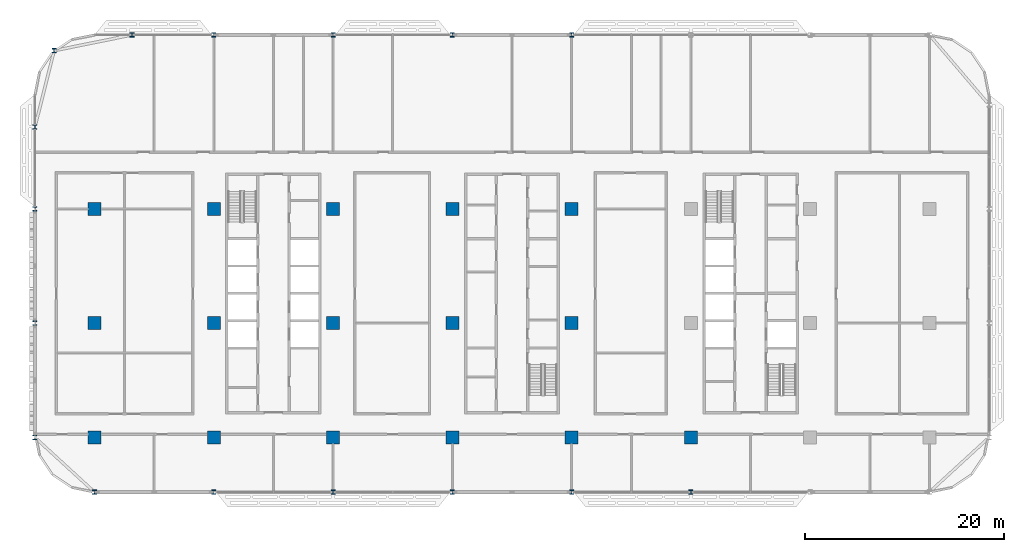
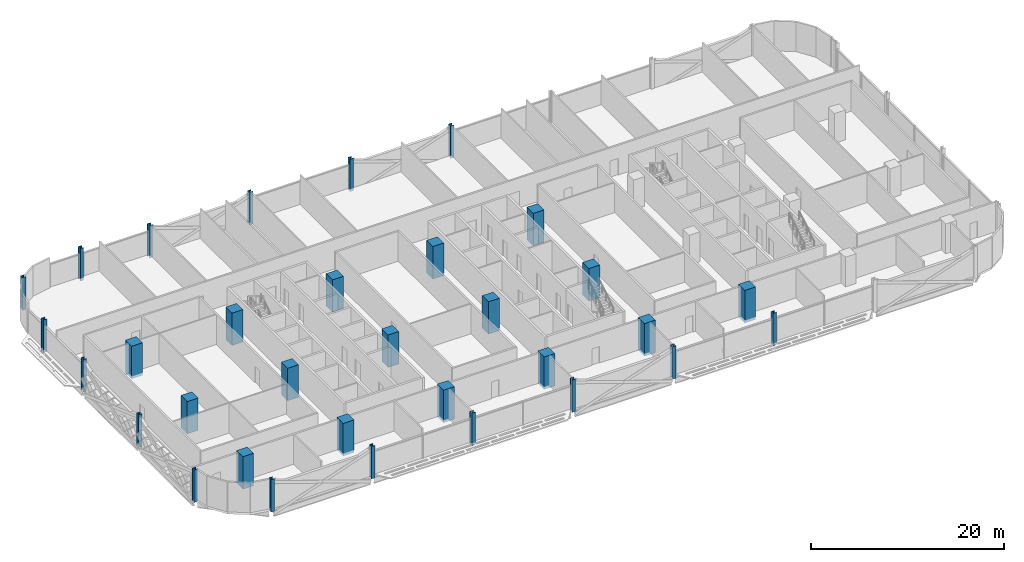
# One storey, part 1 of 28: 32 columns.
"""IFC4 building model written with IfcOpenShell, lengths in metres."""

from ifc_helpers import new_model, si_unit, direction, frame, origin, origin_2d, place, context, subcontext, project, spatial, rectangle, i_section, extrude, material, material_profile, profile_set, type_object, element, save


model = new_model("IFC4")

# Units and contexts
model_context = context("Model", 3, precision=1e-05, world=origin(), true_north=direction((0.0, 1.0)))
body_context = subcontext(model_context, "Body", "Model", "MODEL_VIEW")
ifc_project = project(units=[si_unit("LENGTHUNIT", "METRE"), si_unit("AREAUNIT", "SQUARE_METRE"), si_unit("VOLUMEUNIT", "CUBIC_METRE"), si_unit("PLANEANGLEUNIT", "RADIAN"), si_unit("MASSUNIT", "GRAM", prefix="KILO")], contexts=[model_context])

# Site, building, storey
site_placement = place(None, origin())
site = spatial("IfcSite", under=ifc_project, at=site_placement, CompositionType="ELEMENT")
building_placement = place(site_placement, origin())
building = spatial("IfcBuilding", under=site, at=building_placement, Name="Mahtab Terrace Research Tower", CompositionType="ELEMENT")
storey_placement = place(building_placement, frame((0.0, 0.0, 134.300048828125)))
storey = spatial("IfcBuildingStorey", under=building, at=storey_placement, Name="L31", CompositionType="ELEMENT", Elevation=134.300048828125)

# Columns
ifc_material_1 = material(Name="Concrete C70/85", Category="concrete")
ifc_material_profile_1 = material_profile(ifc_material_1, rectangle(XDim=1.300048828125, YDim=1.300048828125, at=origin_2d()), Name="RC column 1300x1300")
ifc_profile_set_1 = profile_set([ifc_material_profile_1], Name="Concrete C70/85")
column_type_1 = type_object("IfcColumnType", Name="RC column 1300x1300", PredefinedType="COLUMN", material=ifc_profile_set_1)
for number, where, z_axis, x_axis, name in (
    (1, (-42.0, -11.5, -0.340087890625), (0.0, 0.0, 1.0), (1.0, 0.0, 0.0), "Column RC-1A L31"),
    (2, (-42.0, 0.0, -0.340087890625), (0.0, 0.0, 1.0), (1.0, 0.0, 0.0), "Column RC-1B L31"),
    (3, (-42.0, 11.5, -0.340087890625), (0.0, 0.0, 1.0), (1.0, 0.0, 0.0), "Column RC-1C L31"),
    (4, (-30.0, -11.5, -0.340087890625), (0.0, 0.0, 1.0), (1.0, 0.0, 0.0), "Column RC-2A L31"),
    (5, (-30.0, 0.0, -0.340087890625), (0.0, 0.0, 1.0), (1.0, 0.0, 0.0), "Column RC-2B L31"),
    (6, (-30.0, 11.5, -0.340087890625), (0.0, 0.0, 1.0), (1.0, 0.0, 0.0), "Column RC-2C L31"),
    (7, (-18.0, -11.5, -0.340087890625), (0.0, 0.0, 1.0), (1.0, 0.0, 0.0), "Column RC-3A L31"),
    (8, (-18.0, 0.0, -0.340087890625), (0.0, 0.0, 1.0), (1.0, 0.0, 0.0), "Column RC-3B L31"),
    (9, (-18.0, 11.5, -0.340087890625), (0.0, 0.0, 1.0), (1.0, 0.0, 0.0), "Column RC-3C L31"),
    (10, (-6.0, -11.5, -0.340087890625), (0.0, 0.0, 1.0), (1.0, 0.0, 0.0), "Column RC-4A L31"),
    (11, (-6.0, 0.0, -0.340087890625), (0.0, 0.0, 1.0), (1.0, 0.0, 0.0), "Column RC-4B L31"),
    (12, (-6.0, 11.5, -0.340087890625), (0.0, 0.0, 1.0), (1.0, 0.0, 0.0), "Column RC-4C L31"),
    (13, (6.0, -11.5, -0.340087890625), (0.0, 0.0, 1.0), (1.0, 0.0, 0.0), "Column RC-5A L31"),
    (14, (6.0, 0.0, -0.340087890625), (0.0, 0.0, 1.0), (1.0, 0.0, 0.0), "Column RC-5B L31"),
    (15, (6.0, 11.5, -0.340087890625), (0.0, 0.0, 1.0), (1.0, 0.0, 0.0), "Column RC-5C L31"),
    (16, (18.0, -11.5, -0.340087890625), (0.0, 0.0, 1.0), (1.0, 0.0, 0.0), "Column RC-6A L31"),
):
    element("IfcColumn", number, at=place(storey_placement, frame(where, z_axis=z_axis, x_axis=x_axis)), inside=storey, type_object=column_type_1, Name=name, PredefinedType="COLUMN", context=body_context, shape_type="SweptSolid", body=[
        extrude(rectangle(XDim=1.300048828125, YDim=1.300048828125, at=origin_2d()), origin(), (0.0, 0.0, 1.0), 4.10009765625),
    ])
ifc_material_2 = material(Name="Steel ASTM A992 Gr 50", Category="steel")
ifc_material_profile_2 = material_profile(ifc_material_2, i_section(OverallWidth=0.41162109375, OverallDepth=0.434326171875, WebThickness=0.035888671875, FlangeThickness=0.057373046875, at=origin_2d()), Name="W14X311")
ifc_profile_set_2 = profile_set([ifc_material_profile_2], Name="Steel ASTM A992 Gr 50")
column_type_2 = type_object("IfcColumnType", Name="W14x311 column CS14311", PredefinedType="COLUMN", material=ifc_profile_set_2)
for number, where, z_axis, x_axis, name in (
    (17, (6.0, 29.0, -0.340087890625), (0.0, 0.0, 1.0), (1.0, 0.0, 0.0), "Column SC-034 L31"),
    (18, (-6.0, 29.0, -0.340087890625), (0.0, 0.0, 1.0), (1.0, 0.0, 0.0), "Column SC-035 L31"),
    (19, (-18.0, 29.0, -0.340087890625), (0.0, 0.0, 1.0), (1.0, 0.0, 0.0), "Column SC-036 L31"),
    (20, (-30.0, 29.0, -0.340087890625), (0.0, 0.0, 1.0), (1.0, 0.0, 0.0), "Column SC-037 L31"),
    (21, (-38.23095703125, 29.0, -0.340087890625), (0.0, 0.0, 1.0), (1.0, 0.0, 0.0), "Column SC-046 L31"),
    (22, (-46.06201171875, 27.416015625, -0.340087890625), (0.0, 0.0, 1.0), (1.0, 0.0, 0.0), "Column SC-047 L31"),
    (23, (-48.0, 19.73095703125, -0.340087890625), (0.0, 0.0, 1.0), (1.0, 0.0, 0.0), "Column SC-048 L31"),
    (24, (-48.0, 11.5, -0.340087890625), (0.0, 0.0, 1.0), (1.0, 0.0, 0.0), "Column SC-009 L31"),
    (25, (-48.0, 0.0, -0.340087890625), (0.0, 0.0, 1.0), (1.0, 0.0, 0.0), "Column SC-010 L31"),
    (26, (-48.0, -11.5, -0.340087890625), (0.0, 0.0, 1.0), (1.0, 0.0, 0.0), "Column SC-011 L31"),
    (27, (-42.0, -17.0, -0.340087890625), (0.0, 0.0, 1.0), (1.0, 0.0, 0.0), "Column SC-049 L31"),
    (28, (-30.0, -17.0, -0.340087890625), (0.0, 0.0, 1.0), (1.0, 0.0, 0.0), "Column SC-039 L31"),
    (29, (-18.0, -17.0, -0.340087890625), (0.0, 0.0, 1.0), (1.0, 0.0, 0.0), "Column SC-040 L31"),
    (30, (-6.0, -17.0, -0.340087890625), (0.0, 0.0, 1.0), (1.0, 0.0, 0.0), "Column SC-041 L31"),
    (31, (6.0, -17.0, -0.340087890625), (0.0, 0.0, 1.0), (1.0, 0.0, 0.0), "Column SC-042 L31"),
    (32, (18.0, -17.0, -0.340087890625), (0.0, 0.0, 1.0), (1.0, 0.0, 0.0), "Column SC-043 L31"),
):
    element("IfcColumn", number, at=place(storey_placement, frame(where, z_axis=z_axis, x_axis=x_axis)), inside=storey, type_object=column_type_2, Name=name, PredefinedType="COLUMN", context=body_context, shape_type="SweptSolid", body=[
        extrude(i_section(OverallWidth=0.41162109375, OverallDepth=0.434326171875, WebThickness=0.035888671875, FlangeThickness=0.057373046875, at=origin_2d()), origin(), (0.0, 0.0, 1.0), 4.10009765625),
    ])

save(model, "model.ifc")
